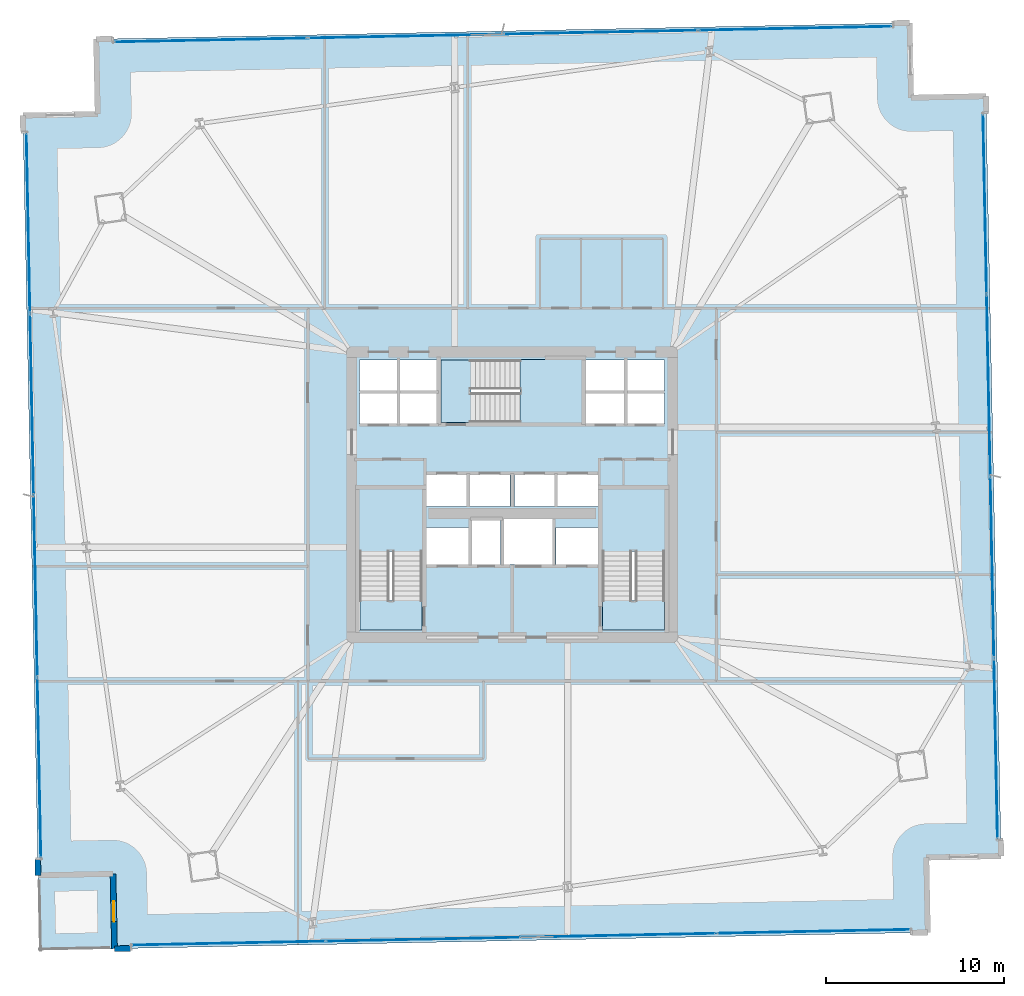
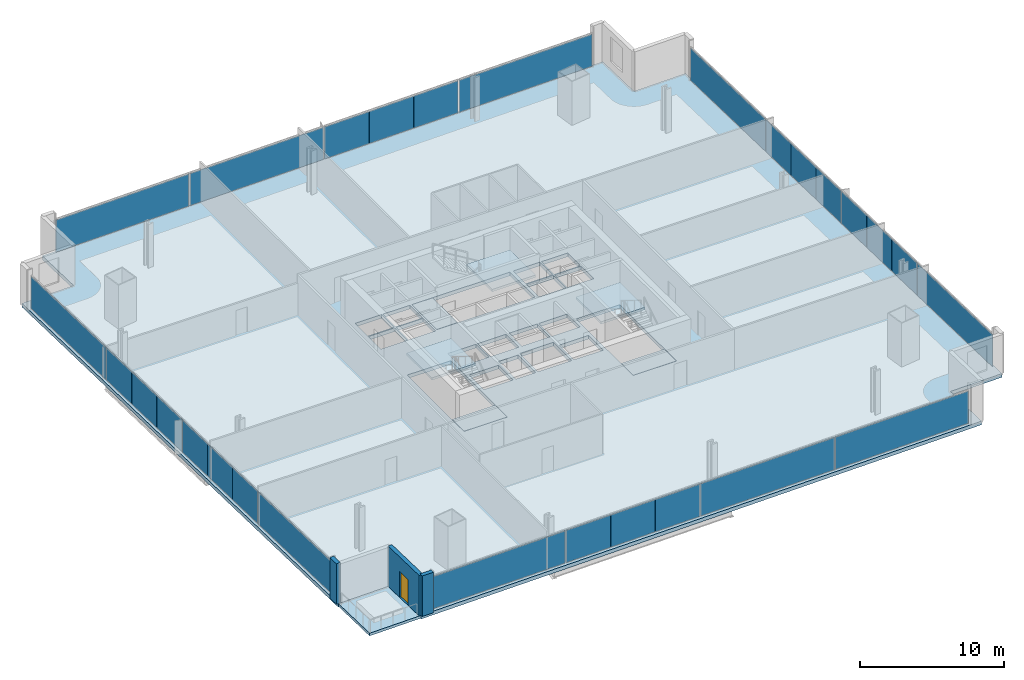
# One storey, part 26 of 35: 28 plates, 8 slabs, 3 walls, 1 door, 1 opening, 7 elements without a shape of their own.
"""IFC4 building model written with IfcOpenShell, lengths in metres."""

from ifc_helpers import new_model, si_unit, direction, frame, frame_2d, origin, origin_2d, place, context, subcontext, project, spatial, polyline, rectangle, outline, extrude, source, transform, mapped, material, layer, layer_set, type_object, element, fill, aggregate, save


model = new_model("IFC4")

# Units and contexts
model_context = context("Model", 3, precision=1e-05, world=origin(), true_north=direction((0.0, 1.0)))
body_context = subcontext(model_context, "Body", "Model", "MODEL_VIEW")
ifc_project = project(units=[si_unit("LENGTHUNIT", "METRE"), si_unit("AREAUNIT", "SQUARE_METRE"), si_unit("VOLUMEUNIT", "CUBIC_METRE"), si_unit("PLANEANGLEUNIT", "RADIAN"), si_unit("MASSUNIT", "GRAM", prefix="KILO")], contexts=[model_context])

# Site, building, storey
site_placement = place(None, origin())
site = spatial("IfcSite", under=ifc_project, at=site_placement, CompositionType="ELEMENT")
building_placement = place(site_placement, origin())
building = spatial("IfcBuilding", under=site, at=building_placement, Name="Haldenkirk Collegiate Tower", CompositionType="ELEMENT")
storey_placement = place(building_placement, frame((0.0, 0.0, 32.699951171875)))
storey = spatial("IfcBuildingStorey", under=building, at=storey_placement, Name="L06", CompositionType="ELEMENT", Elevation=32.699951171875)

# Slab
ifc_material_1 = material(Name="Concrete f'c 40 MPa", Category="concrete")
ifc_layer_1 = layer(ifc_material_1, 0.31005859375)
ifc_layer_set_1 = layer_set([ifc_layer_1], Name="Concrete f'c 40 MPa")
slab_type_1 = type_object("IfcSlabType", Name="SLB-FLR-310", PredefinedType="FLOOR", material=ifc_layer_set_1)
slab_1_placement = place(storey_placement, frame((0.0, 0.0, -0.31005859375)))
element("IfcSlab", 1, at=slab_1_placement, inside=storey, type_object=slab_type_1, Name="L06 composite structural floor slab", PredefinedType="FLOOR", context=body_context, shape_type="SweptSolid", body=[
    extrude(outline(polyline([(13.706298828125, 0.54736328125), (59.297119140625, 1.462646484375), (59.212890625, 5.661865234375), (63.412109375, 5.74609375), (62.556884765625, 48.33740234375), (58.35791015625, 48.253173828125), (58.273681640625, 52.452392578125), (12.682861328125, 51.537109375), (12.76708984375, 47.337890625), (8.56787109375, 47.253662109375), (9.4228515625, 4.662353515625), (13.6220703125, 4.74658203125), (13.706298828125, 0.54736328125)]), holes=[polyline([(27.449951171875, 18.39990234375), (30.949951171875, 18.39990234375), (30.949951171875, 26.300048828125), (27.449951171875, 26.300048828125), (27.449951171875, 18.39990234375)]), polyline([(41.050048828125, 18.39990234375), (44.550048828125, 18.39990234375), (44.550048828125, 26.300048828125), (41.050048828125, 26.300048828125), (41.050048828125, 18.39990234375)]), polyline([(32.0, 30.050048828125), (39.89990234375, 30.050048828125), (39.89990234375, 33.550048828125), (32.0, 33.550048828125), (32.0, 30.050048828125)]), polyline([(33.75, 22.10009765625), (35.35009765625, 22.10009765625), (35.35009765625, 24.550048828125), (33.75, 24.550048828125), (33.75, 22.10009765625)]), polyline([(27.449951171875, 29.949951171875), (29.580078125, 29.949951171875), (29.580078125, 31.699951171875), (27.449951171875, 31.699951171875), (27.449951171875, 29.949951171875)]), polyline([(29.679931640625, 29.949951171875), (31.85009765625, 29.949951171875), (31.85009765625, 31.699951171875), (29.679931640625, 31.699951171875), (29.679931640625, 29.949951171875)]), polyline([(27.449951171875, 31.800048828125), (29.580078125, 31.800048828125), (29.580078125, 33.550048828125), (27.449951171875, 33.550048828125), (27.449951171875, 31.800048828125)]), polyline([(29.679931640625, 31.800048828125), (31.85009765625, 31.800048828125), (31.85009765625, 33.550048828125), (29.679931640625, 33.550048828125), (29.679931640625, 31.800048828125)]), polyline([(40.14990234375, 29.949951171875), (42.320068359375, 29.949951171875), (42.320068359375, 31.699951171875), (40.14990234375, 31.699951171875), (40.14990234375, 29.949951171875)]), polyline([(42.419921875, 29.949951171875), (44.550048828125, 29.949951171875), (44.550048828125, 31.699951171875), (42.419921875, 31.699951171875), (42.419921875, 29.949951171875)]), polyline([(40.14990234375, 31.800048828125), (42.320068359375, 31.800048828125), (42.320068359375, 33.550048828125), (40.14990234375, 33.550048828125), (40.14990234375, 31.800048828125)]), polyline([(42.419921875, 31.800048828125), (44.550048828125, 31.800048828125), (44.550048828125, 33.550048828125), (42.419921875, 33.550048828125), (42.419921875, 31.800048828125)]), polyline([(31.199951171875, 25.35009765625), (33.47998046875, 25.35009765625), (33.47998046875, 27.14990234375), (31.199951171875, 27.14990234375), (31.199951171875, 25.35009765625)]), polyline([(33.60009765625, 25.35009765625), (35.8798828125, 25.35009765625), (35.8798828125, 27.14990234375), (33.60009765625, 27.14990234375), (33.60009765625, 25.35009765625)]), polyline([(36.1201171875, 25.35009765625), (38.39990234375, 25.35009765625), (38.39990234375, 27.14990234375), (36.1201171875, 27.14990234375), (36.1201171875, 25.35009765625)]), polyline([(38.52001953125, 25.35009765625), (40.800048828125, 25.35009765625), (40.800048828125, 27.14990234375), (38.52001953125, 27.14990234375), (38.52001953125, 25.35009765625)]), polyline([(31.199951171875, 22.10009765625), (33.550048828125, 22.10009765625), (33.550048828125, 24.14990234375), (31.199951171875, 24.14990234375), (31.199951171875, 22.10009765625)]), polyline([(38.449951171875, 22.10009765625), (40.800048828125, 22.10009765625), (40.800048828125, 24.14990234375), (38.449951171875, 24.14990234375), (38.449951171875, 22.10009765625)]), polyline([(35.550048828125, 22.10009765625), (38.25, 22.10009765625), (38.25, 24.64990234375), (35.550048828125, 24.64990234375), (35.550048828125, 22.10009765625)])]), origin(), (0.0, 0.0, 1.0), 0.31005859375),
])

# Stair, slab
stair_type = type_object("IfcStairType", Name="STR-DOGLEG-1650", PredefinedType="HALF_TURN_STAIR", material=ifc_material_1)
stair_1_placement = place(storey_placement, origin())
stair_1 = element("IfcStair", 2, at=stair_1_placement, inside=storey, type_object=stair_type, Name="L06 Core Exit Stair ST-1", PredefinedType="HALF_TURN_STAIR")
ifc_layer_2 = layer(ifc_material_1, 0.199951171875)
ifc_layer_set_2 = layer_set([ifc_layer_2], Name="Concrete f'c 40 MPa")
slab_type_2 = type_object("IfcSlabType", Name="SLB-LANDING-200", PredefinedType="LANDING", material=ifc_layer_set_2)
slab_2_placement = place(storey_placement, frame((0.0, 0.0, 1.675048828125)))
slab_2 = element("IfcSlab", 3, at=slab_2_placement, type_object=slab_type_2, Name="ST-1 landing 1", PredefinedType="LANDING", context=body_context, shape_type="SweptSolid", body=[
    extrude(outline(polyline([(30.97509765625, 22.824951171875), (27.425048828125, 22.824951171875), (27.425048828125, 26.324951171875), (30.97509765625, 26.324951171875), (30.97509765625, 22.824951171875)])), origin(), (0.0, 0.0, 1.0), 0.199951171875),
])
aggregate(stair_1, [slab_2])

stair_2_placement = place(storey_placement, origin())
stair_2 = element("IfcStair", 4, at=stair_2_placement, inside=storey, type_object=stair_type, Name="L06 Core Exit Stair ST-2", PredefinedType="HALF_TURN_STAIR")
slab_3_placement = place(storey_placement, frame((0.0, 0.0, 1.675048828125)))
slab_3 = element("IfcSlab", 5, at=slab_3_placement, type_object=slab_type_2, Name="ST-2 landing 1", PredefinedType="LANDING", context=body_context, shape_type="SweptSolid", body=[
    extrude(outline(polyline([(44.574951171875, 22.824951171875), (41.02490234375, 22.824951171875), (41.02490234375, 26.324951171875), (44.574951171875, 26.324951171875), (44.574951171875, 22.824951171875)])), origin(), (0.0, 0.0, 1.0), 0.199951171875),
])
aggregate(stair_2, [slab_3])

stair_3_placement = place(storey_placement, origin())
stair_3 = element("IfcStair", 6, at=stair_3_placement, inside=storey, type_object=stair_type, Name="L06 Core Exit Stair ST-3", PredefinedType="HALF_TURN_STAIR")
slab_4_placement = place(storey_placement, frame((0.0, 0.0, 1.675048828125)))
slab_4 = element("IfcSlab", 7, at=slab_4_placement, type_object=slab_type_2, Name="ST-3 landing 1", PredefinedType="LANDING", context=body_context, shape_type="SweptSolid", body=[
    extrude(outline(polyline([(36.425048828125, 30.02490234375), (36.425048828125, 33.574951171875), (39.925048828125, 33.574951171875), (39.925048828125, 30.02490234375), (36.425048828125, 30.02490234375)])), origin(), (0.0, 0.0, 1.0), 0.199951171875),
])
aggregate(stair_3, [slab_4])

# Slabs
ifc_layer_3 = layer(ifc_material_1, 0.25)
ifc_layer_set_3 = layer_set([ifc_layer_3], Name="Concrete f'c 40 MPa")
slab_type_3 = type_object("IfcSlabType", Name="SLB-STAIRLAND-250", PredefinedType="LANDING", material=ifc_layer_set_3)
slab_5_placement = place(storey_placement, frame((0.0, 0.0, -0.25)))
element("IfcSlab", 8, at=slab_5_placement, inside=storey, type_object=slab_type_3, Name="L06 stair ST1 structural floor landing slab", PredefinedType="LANDING", context=body_context, shape_type="SweptSolid", body=[
    extrude(outline(polyline([(27.4599609375, 18.409912109375), (30.93994140625, 18.409912109375), (30.93994140625, 20.080078125), (27.4599609375, 20.080078125), (27.4599609375, 18.409912109375)])), origin(), (0.0, 0.0, 1.0), 0.25),
])
slab_6_placement = place(storey_placement, frame((0.0, 0.0, -0.25)))
element("IfcSlab", 9, at=slab_6_placement, inside=storey, type_object=slab_type_3, Name="L06 stair ST2 structural floor landing slab", PredefinedType="LANDING", context=body_context, shape_type="SweptSolid", body=[
    extrude(outline(polyline([(41.06005859375, 18.409912109375), (44.5400390625, 18.409912109375), (44.5400390625, 20.080078125), (41.06005859375, 20.080078125), (41.06005859375, 18.409912109375)])), origin(), (0.0, 0.0, 1.0), 0.25),
])
slab_7_placement = place(storey_placement, frame((0.0, 0.0, -0.25)))
element("IfcSlab", 10, at=slab_7_placement, inside=storey, type_object=slab_type_3, Name="L06 stair ST3 structural floor landing slab", PredefinedType="LANDING", context=body_context, shape_type="SweptSolid", body=[
    extrude(outline(polyline([(32.010009765625, 30.06005859375), (33.679931640625, 30.06005859375), (33.679931640625, 33.5400390625), (32.010009765625, 33.5400390625), (32.010009765625, 30.06005859375)])), origin(), (0.0, 0.0, 1.0), 0.25),
])
ifc_layer_4 = layer(ifc_material_1, 0.22998046875)
ifc_layer_set_4 = layer_set([ifc_layer_4], Name="Concrete f'c 40 MPa")
slab_type_4 = type_object("IfcSlabType", Name="SLB-TERR-SPIRAL-230", PredefinedType="FLOOR", material=ifc_layer_set_4)
slab_8_placement = place(storey_placement, frame((0.0, 0.0, -0.22998046875)))
element("IfcSlab", 11, at=slab_8_placement, inside=storey, type_object=slab_type_4, Name="L06 spiralling corner terrace slab", PredefinedType="FLOOR", context=body_context, shape_type="SweptSolid", body=[
    extrude(outline(polyline([(9.507080078125, 0.463134765625), (13.706298828125, 0.54736328125), (13.6220703125, 4.74658203125), (9.4228515625, 4.662353515625), (9.507080078125, 0.463134765625)])), origin(), (0.0, 0.0, 1.0), 0.22998046875),
])

# Curtain wall, plates
ifc_material_2 = material(Name="Anodised architectural bronze aluminium", Category="aluminium")
curtain_wall_type_1 = type_object("IfcCurtainWallType", Name="CW-SYS2-CONCAVE", PredefinedType="USERDEFINED", material=ifc_material_2)
curtain_wall_1_placement = place(storey_placement, origin())
curtain_wall_1 = element("IfcCurtainWall", 12, at=curtain_wall_1_placement, inside=storey, type_object=curtain_wall_type_1, Name="L06 South concave recessed bronze-anodised curtain wall", ObjectType="UNITISED CURTAIN WALL", PredefinedType="USERDEFINED")
ifc_material_3 = material(Name="Low-E argon triple insulating glass", Category="glass")
ifc_layer_5 = layer(ifc_material_3, 0.0419921875)
ifc_layer_set_5 = layer_set([ifc_layer_5], Name="Low-E argon triple insulating glass")
plate_type_1 = type_object("IfcPlateType", Name="CW-PNL-02", PredefinedType="CURTAIN_PANEL", material=ifc_layer_set_5)
shared_shape_1 = source(origin(), body_context, "Body", "SweptSolid", [
    extrude(rectangle(XDim=10.837646484375, YDim=0.0419921875, at=origin_2d()), origin(), (0.0, 0.0, 1.0), 2.740966796875),
])
plate_1_placement = place(storey_placement, frame((52.901123046875, 1.51416015625, 0.0751953125), z_axis=(0.0, 0.0, 1.0), x_axis=(-0.999798608625, -0.020068437719, 0.0)))
plate_1 = element("IfcPlate", 13, at=plate_1_placement, type_object=plate_type_1, Name="CW-02 panel 1.1", PredefinedType="CURTAIN_PANEL", context=body_context, shape_type="MappedRepresentation", body=[
    mapped(shared_shape_1, transform((0.0, 0.0, 0.0), x_axis=(1.0, 0.0, 0.0), y_axis=(0.0, 1.0, 0.0), z_axis=(0.0, 0.0, 1.0), scale=1.0)),
])
plate_2_placement = place(storey_placement, frame((20.09521484375, 0.855712890625, 0.0751953125), z_axis=(0.0, 0.0, 1.0), x_axis=(-0.999798608625, -0.020068437719, 0.0)))
plate_2 = element("IfcPlate", 14, at=plate_2_placement, type_object=plate_type_1, Name="CW-02 panel 4.1", PredefinedType="CURTAIN_PANEL", context=body_context, shape_type="MappedRepresentation", body=[
    mapped(shared_shape_1, transform((0.0, 0.0, 0.0), x_axis=(1.0, 0.0, 0.0), y_axis=(0.0, 1.0, 0.0), z_axis=(0.0, 0.0, 1.0), scale=1.0)),
])
shared_shape_2 = source(origin(), body_context, "Body", "SweptSolid", [
    extrude(rectangle(XDim=10.875, YDim=0.0419921875, at=origin_2d()), origin(), (0.0, 0.0, 1.0), 2.740966796875),
])
plate_3_placement = place(storey_placement, frame((41.97216796875, 1.294921875, 0.0751953125), z_axis=(0.0, 0.0, 1.0), x_axis=(-0.999798608625, -0.020068437719, 0.0)))
plate_3 = element("IfcPlate", 15, at=plate_3_placement, type_object=plate_type_1, Name="CW-02 panel 2.1", PredefinedType="CURTAIN_PANEL", context=body_context, shape_type="MappedRepresentation", body=[
    mapped(shared_shape_2, transform((0.0, 0.0, 0.0), x_axis=(1.0, 0.0, 0.0), y_axis=(0.0, 1.0, 0.0), z_axis=(0.0, 0.0, 1.0), scale=1.0)),
])
ifc_material_4 = material(Name="Bronze-anodised insulated aluminium spandrel panel", Category="aluminium")
ifc_layer_6 = layer(ifc_material_4, 0.0419921875)
ifc_layer_set_6 = layer_set([ifc_layer_6], Name="Bronze-anodised insulated aluminium spandrel panel")
plate_type_2 = type_object("IfcPlateType", Name="CW-SPD-02", PredefinedType="CURTAIN_PANEL", material=ifc_layer_set_6)
shared_shape_3 = source(origin(), body_context, "Body", "SweptSolid", [
    extrude(rectangle(XDim=3.612548828125, YDim=0.0419921875, at=origin_2d()), origin(), (0.0, 0.0, 1.0), 2.740966796875),
])
plate_4_placement = place(storey_placement, frame((34.65478515625, 1.14794921875, 0.0751953125), z_axis=(0.0, 0.0, 1.0), x_axis=(-0.999798608625, -0.020068437719, 0.0)))
plate_4 = element("IfcPlate", 16, at=plate_4_placement, type_object=plate_type_2, Name="CW-02 spandrel panel 3.1a", PredefinedType="CURTAIN_PANEL", context=body_context, shape_type="MappedRepresentation", body=[
    mapped(shared_shape_3, transform((0.0, 0.0, 0.0), x_axis=(1.0, 0.0, 0.0), y_axis=(0.0, 1.0, 0.0), z_axis=(0.0, 0.0, 1.0), scale=1.0)),
])
plate_5_placement = place(storey_placement, frame((27.393798828125, 1.002197265625, 0.0751953125), z_axis=(0.0, 0.0, 1.0), x_axis=(-0.999798608625, -0.020068437719, 0.0)))
plate_5 = element("IfcPlate", 17, at=plate_5_placement, type_object=plate_type_2, Name="CW-02 spandrel panel 3.1c", PredefinedType="CURTAIN_PANEL", context=body_context, shape_type="MappedRepresentation", body=[
    mapped(shared_shape_3, transform((0.0, 0.0, 0.0), x_axis=(1.0, 0.0, 0.0), y_axis=(0.0, 1.0, 0.0), z_axis=(0.0, 0.0, 1.0), scale=1.0)),
])
shared_shape_4 = source(origin(), body_context, "Body", "SweptSolid", [
    extrude(rectangle(XDim=3.60009765625, YDim=0.0419921875, at=origin_2d()), origin(), (0.0, 0.0, 1.0), 2.740966796875),
])
plate_6_placement = place(storey_placement, frame((31.024169921875, 1.0751953125, 0.0751953125), z_axis=(0.0, 0.0, 1.0), x_axis=(-0.999798608625, -0.020068437719, 0.0)))
plate_6 = element("IfcPlate", 18, at=plate_6_placement, type_object=plate_type_2, Name="CW-02 spandrel panel 3.1b", PredefinedType="CURTAIN_PANEL", context=body_context, shape_type="MappedRepresentation", body=[
    mapped(shared_shape_4, transform((0.0, 0.0, 0.0), x_axis=(1.0, 0.0, 0.0), y_axis=(0.0, 1.0, 0.0), z_axis=(0.0, 0.0, 1.0), scale=1.0)),
])
aggregate(curtain_wall_1, [plate_1, plate_3, plate_4, plate_6, plate_5, plate_2])

curtain_wall_type_2 = type_object("IfcCurtainWallType", Name="CW-SYS1-CONVEX-LOW", PredefinedType="USERDEFINED", material=ifc_material_2)
curtain_wall_2_placement = place(storey_placement, origin())
curtain_wall_2 = element("IfcCurtainWall", 19, at=curtain_wall_2_placement, inside=storey, type_object=curtain_wall_type_2, Name="L06 Lower tower convex bronze-framed unitised curtain wall", ObjectType="UNITISED CURTAIN WALL", PredefinedType="USERDEFINED")
ifc_layer_7 = layer(ifc_material_3, 0.0439453125)
ifc_layer_set_7 = layer_set([ifc_layer_7], Name="Low-E argon triple insulating glass")
plate_type_3 = type_object("IfcPlateType", Name="CW-PNL-1A", PredefinedType="CURTAIN_PANEL", material=ifc_layer_set_7)
shared_shape_5 = source(origin(), body_context, "Body", "SweptSolid", [
    extrude(rectangle(XDim=10.080078125, YDim=0.0439453125, at=origin_2d()), origin(), (0.0, 0.0, 1.0), 2.73095703125),
])
plate_7_placement = place(storey_placement, frame((62.497802734375, 42.315185546875, 0.080078125), z_axis=(0.0, 0.0, 1.0), x_axis=(0.020068619127, -0.999798604983, 0.0)))
plate_7 = element("IfcPlate", 20, at=plate_7_placement, type_object=plate_type_3, Name="CW-1A panel 1.1", PredefinedType="CURTAIN_PANEL", context=body_context, shape_type="MappedRepresentation", body=[
    mapped(shared_shape_5, transform((0.0, 0.0, 0.0), x_axis=(1.0, 0.0, 0.0), y_axis=(0.0, 1.0, 0.0), z_axis=(0.0, 0.0, 1.0), scale=1.0)),
])
plate_8_placement = place(storey_placement, frame((63.111083984375, 11.76123046875, 0.080078125), z_axis=(0.0, 0.0, 1.0), x_axis=(0.020068619127, -0.999798604983, 0.0)))
plate_8 = element("IfcPlate", 21, at=plate_8_placement, type_object=plate_type_3, Name="CW-1A panel 4.1", PredefinedType="CURTAIN_PANEL", context=body_context, shape_type="MappedRepresentation", body=[
    mapped(shared_shape_5, transform((0.0, 0.0, 0.0), x_axis=(1.0, 0.0, 0.0), y_axis=(0.0, 1.0, 0.0), z_axis=(0.0, 0.0, 1.0), scale=1.0)),
])

curtain_wall_3_placement = place(storey_placement, origin())
curtain_wall_3 = element("IfcCurtainWall", 22, at=curtain_wall_3_placement, inside=storey, type_object=curtain_wall_type_2, Name="L06 Lower tower convex bronze-framed unitised curtain wall", ObjectType="UNITISED CURTAIN WALL", PredefinedType="USERDEFINED")
plate_9_placement = place(storey_placement, frame((9.48193359375, 10.6845703125, 0.080078125), z_axis=(0.0, 0.0, 1.0), x_axis=(-0.020068619127, 0.999798604983, 0.0)))
plate_9 = element("IfcPlate", 23, at=plate_9_placement, type_object=plate_type_3, Name="CW-1A panel 1.1", PredefinedType="CURTAIN_PANEL", context=body_context, shape_type="MappedRepresentation", body=[
    mapped(shared_shape_5, transform((0.0, 0.0, 0.0), x_axis=(1.0, 0.0, 0.0), y_axis=(0.0, 1.0, 0.0), z_axis=(0.0, 0.0, 1.0), scale=1.0)),
])
plate_10_placement = place(storey_placement, frame((8.86865234375, 41.238525390625, 0.080078125), z_axis=(0.0, 0.0, 1.0), x_axis=(-0.020068619127, 0.999798604983, 0.0)))
plate_10 = element("IfcPlate", 24, at=plate_10_placement, type_object=plate_type_3, Name="CW-1A panel 4.1", PredefinedType="CURTAIN_PANEL", context=body_context, shape_type="MappedRepresentation", body=[
    mapped(shared_shape_5, transform((0.0, 0.0, 0.0), x_axis=(1.0, 0.0, 0.0), y_axis=(0.0, 1.0, 0.0), z_axis=(0.0, 0.0, 1.0), scale=1.0)),
])

# Plate
shared_shape_6 = source(origin(), body_context, "Body", "SweptSolid", [
    extrude(rectangle(XDim=3.36083984375, YDim=0.0439453125, at=origin_2d()), origin(), (0.0, 0.0, 1.0), 2.73095703125),
])
plate_11_placement = place(storey_placement, frame((62.63427734375, 35.51611328125, 0.080078125), z_axis=(0.0, 0.0, 1.0), x_axis=(0.020068619127, -0.999798604983, 0.0)))
plate_11 = element("IfcPlate", 25, at=plate_11_placement, type_object=plate_type_3, Name="CW-1A panel 2.1a", PredefinedType="CURTAIN_PANEL", context=body_context, shape_type="MappedRepresentation", body=[
    mapped(shared_shape_6, transform((0.0, 0.0, 0.0), x_axis=(1.0, 0.0, 0.0), y_axis=(0.0, 1.0, 0.0), z_axis=(0.0, 0.0, 1.0), scale=1.0)),
])

ifc_layer_8 = layer(ifc_material_4, 0.0439453125)
ifc_layer_set_8 = layer_set([ifc_layer_8], Name="Bronze-anodised insulated aluminium spandrel panel")
plate_type_4 = type_object("IfcPlateType", Name="CW-SPD-1A", PredefinedType="CURTAIN_PANEL", material=ifc_layer_set_8)
plate_12_placement = place(storey_placement, frame((62.77001953125, 28.75830078125, 0.080078125), z_axis=(0.0, 0.0, 1.0), x_axis=(0.020068619127, -0.999798604983, 0.0)))
plate_12 = element("IfcPlate", 26, at=plate_12_placement, type_object=plate_type_4, Name="CW-1A spandrel panel 2.1c", PredefinedType="CURTAIN_PANEL", context=body_context, shape_type="MappedRepresentation", body=[
    mapped(shared_shape_6, transform((0.0, 0.0, 0.0), x_axis=(1.0, 0.0, 0.0), y_axis=(0.0, 1.0, 0.0), z_axis=(0.0, 0.0, 1.0), scale=1.0)),
])

plate_13_placement = place(storey_placement, frame((62.839111328125, 25.318115234375, 0.080078125), z_axis=(0.0, 0.0, 1.0), x_axis=(0.020068619127, -0.999798604983, 0.0)))
plate_13 = element("IfcPlate", 27, at=plate_13_placement, type_object=plate_type_4, Name="CW-1A spandrel panel 3.1a", PredefinedType="CURTAIN_PANEL", context=body_context, shape_type="MappedRepresentation", body=[
    mapped(shared_shape_6, transform((0.0, 0.0, 0.0), x_axis=(1.0, 0.0, 0.0), y_axis=(0.0, 1.0, 0.0), z_axis=(0.0, 0.0, 1.0), scale=1.0)),
])

plate_14_placement = place(storey_placement, frame((62.974609375, 18.560302734375, 0.080078125), z_axis=(0.0, 0.0, 1.0), x_axis=(0.020068619127, -0.999798604983, 0.0)))
plate_14 = element("IfcPlate", 28, at=plate_14_placement, type_object=plate_type_4, Name="CW-1A spandrel panel 3.1c", PredefinedType="CURTAIN_PANEL", context=body_context, shape_type="MappedRepresentation", body=[
    mapped(shared_shape_6, transform((0.0, 0.0, 0.0), x_axis=(1.0, 0.0, 0.0), y_axis=(0.0, 1.0, 0.0), z_axis=(0.0, 0.0, 1.0), scale=1.0)),
])

plate_15_placement = place(storey_placement, frame((9.345703125, 17.483642578125, 0.080078125), z_axis=(0.0, 0.0, 1.0), x_axis=(-0.020068619127, 0.999798604983, 0.0)))
plate_15 = element("IfcPlate", 29, at=plate_15_placement, type_object=plate_type_3, Name="CW-1A panel 2.1a", PredefinedType="CURTAIN_PANEL", context=body_context, shape_type="MappedRepresentation", body=[
    mapped(shared_shape_6, transform((0.0, 0.0, 0.0), x_axis=(1.0, 0.0, 0.0), y_axis=(0.0, 1.0, 0.0), z_axis=(0.0, 0.0, 1.0), scale=1.0)),
])

plate_16_placement = place(storey_placement, frame((9.2099609375, 24.241455078125, 0.080078125), z_axis=(0.0, 0.0, 1.0), x_axis=(-0.020068619127, 0.999798604983, 0.0)))
plate_16 = element("IfcPlate", 30, at=plate_16_placement, type_object=plate_type_4, Name="CW-1A spandrel panel 2.1c", PredefinedType="CURTAIN_PANEL", context=body_context, shape_type="MappedRepresentation", body=[
    mapped(shared_shape_6, transform((0.0, 0.0, 0.0), x_axis=(1.0, 0.0, 0.0), y_axis=(0.0, 1.0, 0.0), z_axis=(0.0, 0.0, 1.0), scale=1.0)),
])

plate_17_placement = place(storey_placement, frame((9.140869140625, 27.681640625, 0.080078125), z_axis=(0.0, 0.0, 1.0), x_axis=(-0.020068619127, 0.999798604983, 0.0)))
plate_17 = element("IfcPlate", 31, at=plate_17_placement, type_object=plate_type_4, Name="CW-1A spandrel panel 3.1a", PredefinedType="CURTAIN_PANEL", context=body_context, shape_type="MappedRepresentation", body=[
    mapped(shared_shape_6, transform((0.0, 0.0, 0.0), x_axis=(1.0, 0.0, 0.0), y_axis=(0.0, 1.0, 0.0), z_axis=(0.0, 0.0, 1.0), scale=1.0)),
])

plate_18_placement = place(storey_placement, frame((9.005126953125, 34.439453125, 0.080078125), z_axis=(0.0, 0.0, 1.0), x_axis=(-0.020068619127, 0.999798604983, 0.0)))
plate_18 = element("IfcPlate", 32, at=plate_18_placement, type_object=plate_type_4, Name="CW-1A spandrel panel 3.1c", PredefinedType="CURTAIN_PANEL", context=body_context, shape_type="MappedRepresentation", body=[
    mapped(shared_shape_6, transform((0.0, 0.0, 0.0), x_axis=(1.0, 0.0, 0.0), y_axis=(0.0, 1.0, 0.0), z_axis=(0.0, 0.0, 1.0), scale=1.0)),
])

shared_shape_7 = source(origin(), body_context, "Body", "SweptSolid", [
    extrude(rectangle(XDim=3.348388671875, YDim=0.0439453125, at=origin_2d()), origin(), (0.0, 0.0, 1.0), 2.73095703125),
])
plate_19_placement = place(storey_placement, frame((62.7021484375, 32.13720703125, 0.080078125), z_axis=(0.0, 0.0, 1.0), x_axis=(0.020068619127, -0.999798604983, 0.0)))
plate_19 = element("IfcPlate", 33, at=plate_19_placement, type_object=plate_type_3, Name="CW-1A panel 2.1b", PredefinedType="CURTAIN_PANEL", context=body_context, shape_type="MappedRepresentation", body=[
    mapped(shared_shape_7, transform((0.0, 0.0, 0.0), x_axis=(1.0, 0.0, 0.0), y_axis=(0.0, 1.0, 0.0), z_axis=(0.0, 0.0, 1.0), scale=1.0)),
])

plate_20_placement = place(storey_placement, frame((62.90673828125, 21.939208984375, 0.080078125), z_axis=(0.0, 0.0, 1.0), x_axis=(0.020068619127, -0.999798604983, 0.0)))
plate_20 = element("IfcPlate", 34, at=plate_20_placement, type_object=plate_type_4, Name="CW-1A spandrel panel 3.1b", PredefinedType="CURTAIN_PANEL", context=body_context, shape_type="MappedRepresentation", body=[
    mapped(shared_shape_7, transform((0.0, 0.0, 0.0), x_axis=(1.0, 0.0, 0.0), y_axis=(0.0, 1.0, 0.0), z_axis=(0.0, 0.0, 1.0), scale=1.0)),
])

aggregate(curtain_wall_2, [plate_7, plate_11, plate_19, plate_12, plate_13, plate_20, plate_14, plate_8])

plate_21_placement = place(storey_placement, frame((9.27783203125, 20.862548828125, 0.080078125), z_axis=(0.0, 0.0, 1.0), x_axis=(-0.020068619127, 0.999798604983, 0.0)))
plate_21 = element("IfcPlate", 35, at=plate_21_placement, type_object=plate_type_3, Name="CW-1A panel 2.1b", PredefinedType="CURTAIN_PANEL", context=body_context, shape_type="MappedRepresentation", body=[
    mapped(shared_shape_7, transform((0.0, 0.0, 0.0), x_axis=(1.0, 0.0, 0.0), y_axis=(0.0, 1.0, 0.0), z_axis=(0.0, 0.0, 1.0), scale=1.0)),
])

plate_22_placement = place(storey_placement, frame((9.072998046875, 31.060546875, 0.080078125), z_axis=(0.0, 0.0, 1.0), x_axis=(-0.020068619127, 0.999798604983, 0.0)))
plate_22 = element("IfcPlate", 36, at=plate_22_placement, type_object=plate_type_4, Name="CW-1A spandrel panel 3.1b", PredefinedType="CURTAIN_PANEL", context=body_context, shape_type="MappedRepresentation", body=[
    mapped(shared_shape_7, transform((0.0, 0.0, 0.0), x_axis=(1.0, 0.0, 0.0), y_axis=(0.0, 1.0, 0.0), z_axis=(0.0, 0.0, 1.0), scale=1.0)),
])

aggregate(curtain_wall_3, [plate_9, plate_15, plate_21, plate_16, plate_17, plate_22, plate_18, plate_10])

# Curtain wall, plates
curtain_wall_4_placement = place(storey_placement, origin())
curtain_wall_4 = element("IfcCurtainWall", 37, at=curtain_wall_4_placement, inside=storey, type_object=curtain_wall_type_2, Name="L06 Lower tower convex bronze-framed unitised curtain wall", ObjectType="UNITISED CURTAIN WALL", PredefinedType="USERDEFINED")
shared_shape_8 = source(origin(), body_context, "Body", "SweptSolid", [
    extrude(rectangle(XDim=10.830078125, YDim=0.0439453125, at=origin_2d()), origin(), (0.0, 0.0, 1.0), 2.73095703125),
])
plate_23_placement = place(storey_placement, frame((19.080078125, 51.485595703125, 0.080078125), z_axis=(0.0, 0.0, 1.0), x_axis=(0.999798607705, 0.020068483542, 0.0)))
plate_23 = element("IfcPlate", 38, at=plate_23_placement, type_object=plate_type_3, Name="CW-1A panel 1.1", PredefinedType="CURTAIN_PANEL", context=body_context, shape_type="MappedRepresentation", body=[
    mapped(shared_shape_8, transform((0.0, 0.0, 0.0), x_axis=(1.0, 0.0, 0.0), y_axis=(0.0, 1.0, 0.0), z_axis=(0.0, 0.0, 1.0), scale=1.0)),
])
plate_24_placement = place(storey_placement, frame((51.883544921875, 52.14404296875, 0.080078125), z_axis=(0.0, 0.0, 1.0), x_axis=(0.999798607705, 0.020068483542, 0.0)))
plate_24 = element("IfcPlate", 39, at=plate_24_placement, type_object=plate_type_3, Name="CW-1A panel 4.1", PredefinedType="CURTAIN_PANEL", context=body_context, shape_type="MappedRepresentation", body=[
    mapped(shared_shape_8, transform((0.0, 0.0, 0.0), x_axis=(1.0, 0.0, 0.0), y_axis=(0.0, 1.0, 0.0), z_axis=(0.0, 0.0, 1.0), scale=1.0)),
])
shared_shape_9 = source(origin(), body_context, "Body", "SweptSolid", [
    extrude(rectangle(XDim=10.8701171875, YDim=0.0439453125, at=origin_2d()), origin(), (0.0, 0.0, 1.0), 2.73095703125),
])
plate_25_placement = place(storey_placement, frame((30.0078125, 51.704833984375, 0.080078125), z_axis=(0.0, 0.0, 1.0), x_axis=(0.999798607705, 0.020068483542, 0.0)))
plate_25 = element("IfcPlate", 40, at=plate_25_placement, type_object=plate_type_3, Name="CW-1A panel 2.1", PredefinedType="CURTAIN_PANEL", context=body_context, shape_type="MappedRepresentation", body=[
    mapped(shared_shape_9, transform((0.0, 0.0, 0.0), x_axis=(1.0, 0.0, 0.0), y_axis=(0.0, 1.0, 0.0), z_axis=(0.0, 0.0, 1.0), scale=1.0)),
])
shared_shape_10 = source(origin(), body_context, "Body", "SweptSolid", [
    extrude(rectangle(XDim=3.61083984375, YDim=0.0439453125, at=origin_2d()), origin(), (0.0, 0.0, 1.0), 2.73095703125),
])
plate_26_placement = place(storey_placement, frame((37.326904296875, 51.851806640625, 0.080078125), z_axis=(0.0, 0.0, 1.0), x_axis=(0.999798607705, 0.020068483542, 0.0)))
plate_26 = element("IfcPlate", 41, at=plate_26_placement, type_object=plate_type_4, Name="CW-1A spandrel panel 3.1a", PredefinedType="CURTAIN_PANEL", context=body_context, shape_type="MappedRepresentation", body=[
    mapped(shared_shape_10, transform((0.0, 0.0, 0.0), x_axis=(1.0, 0.0, 0.0), y_axis=(0.0, 1.0, 0.0), z_axis=(0.0, 0.0, 1.0), scale=1.0)),
])
plate_27_placement = place(storey_placement, frame((44.584716796875, 51.99755859375, 0.080078125), z_axis=(0.0, 0.0, 1.0), x_axis=(0.999798607705, 0.020068483542, 0.0)))
plate_27 = element("IfcPlate", 42, at=plate_27_placement, type_object=plate_type_4, Name="CW-1A spandrel panel 3.1c", PredefinedType="CURTAIN_PANEL", context=body_context, shape_type="MappedRepresentation", body=[
    mapped(shared_shape_10, transform((0.0, 0.0, 0.0), x_axis=(1.0, 0.0, 0.0), y_axis=(0.0, 1.0, 0.0), z_axis=(0.0, 0.0, 1.0), scale=1.0)),
])
shared_shape_11 = source(origin(), body_context, "Body", "SweptSolid", [
    extrude(rectangle(XDim=3.598388671875, YDim=0.0439453125, at=origin_2d()), origin(), (0.0, 0.0, 1.0), 2.73095703125),
])
plate_28_placement = place(storey_placement, frame((40.955810546875, 51.9248046875, 0.080078125), z_axis=(0.0, 0.0, 1.0), x_axis=(0.999798607705, 0.020068483542, 0.0)))
plate_28 = element("IfcPlate", 43, at=plate_28_placement, type_object=plate_type_4, Name="CW-1A spandrel panel 3.1b", PredefinedType="CURTAIN_PANEL", context=body_context, shape_type="MappedRepresentation", body=[
    mapped(shared_shape_11, transform((0.0, 0.0, 0.0), x_axis=(1.0, 0.0, 0.0), y_axis=(0.0, 1.0, 0.0), z_axis=(0.0, 0.0, 1.0), scale=1.0)),
])
aggregate(curtain_wall_4, [plate_23, plate_25, plate_26, plate_28, plate_27, plate_24])

# Walls
ifc_material_5 = material(Name="Precast concrete f'c 40 MPa", Category="concrete")
ifc_layer_9 = layer(ifc_material_5, 0.320068359375)
ifc_layer_set_9 = layer_set([ifc_layer_9], Name="Precast concrete f'c 40 MPa")
wall_type = type_object("IfcWallType", Name="WL-EXT-TWR-320", PredefinedType="STANDARD", material=ifc_layer_set_9)
wall_1_placement = place(storey_placement, frame((14.606201171875, 0.5654296875, 0.0), z_axis=(0.0, 0.0, 1.0), x_axis=(-0.999798538749, -0.020071918575, 0.0)))
element("IfcWall", 44, at=wall_1_placement, inside=storey, type_object=wall_type, Name="L06 precast corner pier SR", PredefinedType="STANDARD", context=body_context, shape_type="SweptSolid", body=[
    extrude(rectangle(XDim=0.900146484375, YDim=0.320068359375, at=frame_2d((0.4501953125, 0.0))), origin(), (0.0, 0.0, 1.0), 3.43994140625),
])
wall_2_placement = place(storey_placement, frame((9.4228515625, 4.662353515625, 0.0), z_axis=(0.0, 0.0, 1.0), x_axis=(-0.020077363305, 0.999798429426, 0.0)))
element("IfcWall", 45, at=wall_2_placement, inside=storey, type_object=wall_type, Name="L06 precast corner pier WL", PredefinedType="STANDARD", context=body_context, shape_type="SweptSolid", body=[
    extrude(rectangle(XDim=0.89990234375, YDim=0.320068359375, at=frame_2d((0.449951171875, 0.0))), origin(), (0.0, 0.0, 1.0), 3.43994140625),
])

# Wall, opening, door
wall_3_placement = place(storey_placement, frame((13.706298828125, 0.54736328125, 0.0), z_axis=(0.0, 0.0, 1.0), x_axis=(-0.020054105767, 0.9997988962, 0.0)))
wall_3 = element("IfcWall", 46, at=wall_3_placement, inside=storey, type_object=wall_type, Name="L06 bronze precast notch wall 12", PredefinedType="STANDARD", context=body_context, shape_type="SweptSolid", body=[
    extrude(rectangle(XDim=4.199951171875, YDim=0.320068359375, at=frame_2d((2.10009765625, 0.0))), origin(), (0.0, 0.0, 1.0), 3.43994140625),
])
opening_placement = place(wall_3_placement, frame((1.52490234375, 0.0, 0.0)))
opening = element("IfcOpeningElement", 47, at=opening_placement, cuts=wall_3, Name="Opening D-ST11", PredefinedType="OPENING", context=body_context, shape_type="SweptSolid", body=[
    extrude(rectangle(XDim=1.14990234375, YDim=2.199951171875, at=frame_2d((0.574951171875, 1.10009765625))), frame((0.0, 0.169921875, 0.0), z_axis=(0.0, -1.0, 0.0), x_axis=(1.0, 0.0, 0.0)), (0.0, 0.0, 1.0), 0.340087890625),
])
ifc_layer_10 = layer(ifc_material_2, 0.080078125)
ifc_layer_set_10 = layer_set([ifc_layer_10], Name="Anodised architectural bronze aluminium")
door_type = type_object("IfcDoorType", Name="DR-EXT-STER-1150", OperationType="NOTDEFINED", PredefinedType="DOOR", material=ifc_layer_set_10)
door_placement = place(opening_placement, origin())
door = element("IfcDoor", 48, at=door_placement, inside=storey, type_object=door_type, Name="L06 spiralling terrace door", OperationType="SINGLE_SWING_LEFT", OverallHeight=2.199951171875, OverallWidth=1.14990234375, PredefinedType="DOOR", context=body_context, shape_type="SweptSolid", body=[
    extrude(rectangle(XDim=1.14990234375, YDim=2.199951171875, at=frame_2d((0.574951171875, 1.10009765625))), frame((0.0, 0.02490234375, 0.0), z_axis=(0.0, -1.0, 0.0), x_axis=(1.0, 0.0, 0.0)), (0.0, 0.0, 1.0), 0.050048828125),
])
fill(opening, door)

save(model, "model.ifc")
